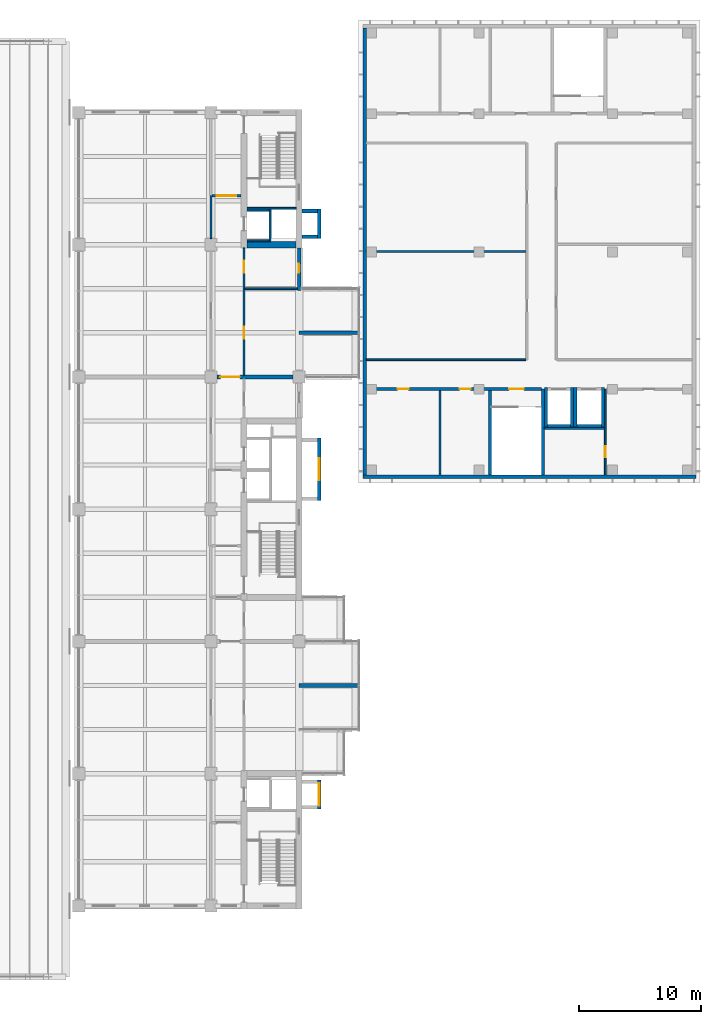
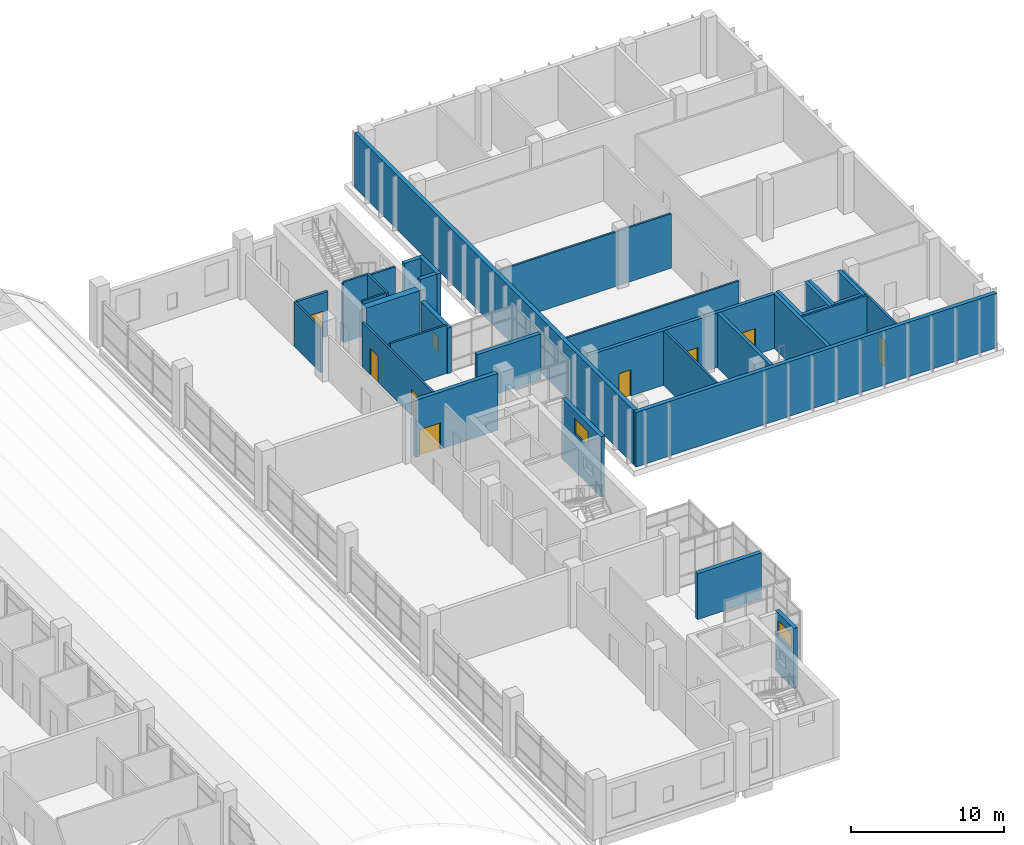
# One storey, part 35 of 45: 34 walls, 8 doors, 3 windows, 11 openings.
"""IFC4 building model written with IfcOpenShell, lengths in metres."""

from ifc_helpers import new_model, si_unit, direction, frame, frame_2d, origin, place, context, subcontext, project, spatial, rectangle, extrude, material, layer, layer_set, type_object, element, fill, save


model = new_model("IFC4")

# Units and contexts
model_context = context("Model", 3, precision=1e-05, world=origin(), true_north=direction((0.0, 1.0)))
body_context = subcontext(model_context, "Body", "Model", "MODEL_VIEW")
ifc_project = project(units=[si_unit("LENGTHUNIT", "METRE"), si_unit("AREAUNIT", "SQUARE_METRE"), si_unit("VOLUMEUNIT", "CUBIC_METRE"), si_unit("PLANEANGLEUNIT", "RADIAN"), si_unit("MASSUNIT", "GRAM", prefix="KILO")], contexts=[model_context])

# Site, building, storey
site_placement = place(None, origin())
site = spatial("IfcSite", under=ifc_project, at=site_placement, CompositionType="ELEMENT")
building_placement = place(site_placement, origin())
building = spatial("IfcBuilding", under=site, at=building_placement, Name="Basin Gate Institute", CompositionType="ELEMENT")
storey_placement = place(building_placement, frame((0.0, 0.0, 22.199951171875)))
storey = spatial("IfcBuildingStorey", under=building, at=storey_placement, Name="L04", CompositionType="ELEMENT", Elevation=22.199951171875)

# Wall, openings, doors
ifc_material_1 = material(Name="Concrete 40 MPa", Category="concrete")
ifc_layer_1 = layer(ifc_material_1, 0.25)
ifc_layer_set_1 = layer_set([ifc_layer_1], Name="Concrete 40 MPa")
wall_type_1 = type_object("IfcWallType", Name="Block enclosure wall W73 REI 120", PredefinedType="SOLIDWALL", material=ifc_layer_set_1)
wall_1_placement = place(storey_placement, frame((124.300048828125, 77.300048828125, 0.0), z_axis=(0.0, 0.0, 1.0), x_axis=(1.0, 0.0, 0.0)))
wall_1 = element("IfcWall", 1, at=wall_1_placement, inside=storey, type_object=wall_type_1, material=ifc_layer_set_1, Name="Stair and lift enclosure wall Cx7730-1 L04", PredefinedType="SOLIDWALL", context=body_context, shape_type="SweptSolid", body=[
    extrude(rectangle(XDim=14.27490234375, YDim=0.25, at=frame_2d((7.137451171875, 0.0))), origin(), (0.0, 0.0, 1.0), 4.35009765625),
])
opening_1_placement = place(wall_1_placement, frame((2.550048828125, 0.0, 0.0)))
opening_1 = element("IfcOpeningElement", 2, at=opening_1_placement, cuts=wall_1, Name="Opening D1074", PredefinedType="OPENING", context=body_context, shape_type="SweptSolid", body=[
    extrude(rectangle(XDim=0.89990234375, YDim=2.10009765625, at=frame_2d((0.449951171875, 1.050048828125))), frame((0.0, 0.135009765625, 0.0), z_axis=(0.0, -1.0, 0.0), x_axis=(1.0, 0.0, 0.0)), (0.0, 0.0, 1.0), 0.27001953125),
])
opening_2_placement = place(wall_1_placement, frame((7.60009765625, 0.0, 0.0)))
opening_2 = element("IfcOpeningElement", 3, at=opening_2_placement, cuts=wall_1, Name="Opening D1075", PredefinedType="OPENING", context=body_context, shape_type="SweptSolid", body=[
    extrude(rectangle(XDim=0.89990234375, YDim=2.10009765625, at=frame_2d((0.449951171875, 1.050048828125))), frame((0.0, 0.135009765625, 0.0), z_axis=(0.0, -1.0, 0.0), x_axis=(1.0, 0.0, 0.0)), (0.0, 0.0, 1.0), 0.27001953125),
])
opening_3_placement = place(wall_1_placement, frame((11.64990234375, 0.0, 0.0)))
opening_3 = element("IfcOpeningElement", 4, at=opening_3_placement, cuts=wall_1, Name="Opening D1086", PredefinedType="OPENING", context=body_context, shape_type="SweptSolid", body=[
    extrude(rectangle(XDim=1.199951171875, YDim=2.10009765625, at=frame_2d((0.60009765625, 1.050048828125))), frame((0.0, 0.135009765625, 0.0), z_axis=(0.0, -1.0, 0.0), x_axis=(1.0, 0.0, 0.0)), (0.0, 0.0, 1.0), 0.27001953125),
])
ifc_material_2 = material(Name="Timber door leaf in steel frame", Category="steel")
door_type_1 = type_object("IfcDoorType", Name="Block door 900 single swing", OperationType="NOTDEFINED", PredefinedType="DOOR", material=ifc_material_2)
door_1_placement = place(opening_1_placement, frame((0.89990234375, 0.0, 0.0), z_axis=(0.0, 0.0, 1.0), x_axis=(-1.0, 0.0, 0.0)))
door_1 = element("IfcDoor", 5, at=door_1_placement, inside=storey, type_object=door_type_1, material=ifc_material_2, Name="Air Handling Plant Room 2 door L04", OperationType="SINGLE_SWING_RIGHT", OverallHeight=2.10009765625, OverallWidth=0.89990234375, PredefinedType="DOOR", context=body_context, shape_type="SweptSolid", body=[
    extrude(rectangle(XDim=0.89990234375, YDim=2.10009765625, at=frame_2d((0.449951171875, 1.050048828125))), frame((0.0, 0.02490234375, 0.0), z_axis=(0.0, -1.0, 0.0), x_axis=(1.0, 0.0, 0.0)), (0.0, 0.0, 1.0), 0.050048828125),
])
fill(opening_1, door_1)
door_2_placement = place(opening_2_placement, frame((0.89990234375, 0.0, 0.0), z_axis=(0.0, 0.0, 1.0), x_axis=(-1.0, 0.0, 0.0)))
door_2 = element("IfcDoor", 6, at=door_2_placement, inside=storey, type_object=door_type_1, material=ifc_material_2, Name="Plant Room 3 door L04", OperationType="SINGLE_SWING_LEFT", OverallHeight=2.10009765625, OverallWidth=0.89990234375, PredefinedType="DOOR", context=body_context, shape_type="SweptSolid", body=[
    extrude(rectangle(XDim=0.89990234375, YDim=2.10009765625, at=frame_2d((0.449951171875, 1.050048828125))), frame((0.0, 0.02490234375, 0.0), z_axis=(0.0, -1.0, 0.0), x_axis=(1.0, 0.0, 0.0)), (0.0, 0.0, 1.0), 0.050048828125),
])
fill(opening_2, door_2)
ifc_material_3 = material(Name="Steel fire door leaf", Category="steel")
door_type_2 = type_object("IfcDoorType", Name="FD60 door 1200 single swing", OperationType="NOTDEFINED", PredefinedType="DOOR", material=ifc_material_3)
door_3_placement = place(opening_3_placement, frame((1.199951171875, 0.0, 0.0), z_axis=(0.0, 0.0, 1.0), x_axis=(-1.0, 0.0, 0.0)))
door_3 = element("IfcDoor", 7, at=door_3_placement, inside=storey, type_object=door_type_2, material=ifc_material_3, Name="Stair door ST-C4 L04", OperationType="SINGLE_SWING_RIGHT", OverallHeight=2.10009765625, OverallWidth=1.199951171875, PredefinedType="DOOR", context=body_context, shape_type="SweptSolid", body=[
    extrude(rectangle(XDim=1.199951171875, YDim=2.10009765625, at=frame_2d((0.60009765625, 1.050048828125))), frame((0.0, 0.02490234375, 0.0), z_axis=(0.0, -1.0, 0.0), x_axis=(1.0, 0.0, 0.0)), (0.0, 0.0, 1.0), 0.050048828125),
])
fill(opening_3, door_3)

# Walls
wall_2_placement = place(storey_placement, frame((134.39990234375, 70.300048828125, 0.0), z_axis=(0.0, 0.0, 1.0), x_axis=(0.0, 1.0, 0.0)))
element("IfcWall", 8, at=wall_2_placement, inside=storey, type_object=wall_type_1, material=ifc_layer_set_1, Name="Stair and lift enclosure wall Cy13440-12 L04", PredefinedType="SOLIDWALL", context=body_context, shape_type="SweptSolid", body=[
    extrude(rectangle(XDim=6.875, YDim=0.25, at=frame_2d((3.4375, 0.0))), origin(), (0.0, 0.0, 1.0), 4.35009765625),
])
wall_3_placement = place(storey_placement, frame((138.699951171875, 70.300048828125, 0.0), z_axis=(0.0, 0.0, 1.0), x_axis=(0.0, 1.0, 0.0)))
element("IfcWall", 9, at=wall_3_placement, inside=storey, type_object=wall_type_1, material=ifc_layer_set_1, Name="Stair and lift enclosure wall Cy13870-15 L04", PredefinedType="SOLIDWALL", context=body_context, shape_type="SweptSolid", body=[
    extrude(rectangle(XDim=7.0, YDim=0.25, at=frame_2d((3.5, 0.0))), origin(), (0.0, 0.0, 1.0), 4.35009765625),
])
ifc_material_4 = material(Name="Aluminium-faced insulated panel wall", Category="aluminium")
ifc_layer_2 = layer(ifc_material_4, 0.300048828125)
ifc_layer_set_2 = layer_set([ifc_layer_2], Name="Capsule side wall EW2 EI 120")
wall_type_2 = type_object("IfcWallType", Name="Capsule side wall EW2 EI 120", PredefinedType="STANDARD", material=ifc_layer_set_2)
for number, where, z_axis, x_axis, name in (
    (10, (123.60009765625, 53.10009765625, 0.0), (0.0, 0.0, 1.0), (-1.0, 0.0, 0.0), "Capsule side wall E wing L04 line 6"),
    (11, (123.60009765625, 81.89990234375, 0.0), (0.0, 0.0, 1.0), (-1.0, 0.0, 0.0), "Capsule side wall E wing L04 line 14"),
):
    element("IfcWall", number, at=place(storey_placement, frame(where, z_axis=z_axis, x_axis=x_axis)), inside=storey, type_object=wall_type_2, material=ifc_layer_set_2, Name=name, PredefinedType="STANDARD", context=body_context, shape_type="SweptSolid", body=[
        extrude(rectangle(XDim=4.800048828125, YDim=0.300048828125, at=frame_2d((2.39990234375, 0.0))), origin(), (0.0, 0.0, 1.0), 3.650146484375),
    ])
ifc_material_5 = material(Name="Insulated sandwich panel, mineral wool core, galvanised sheet faces")
ifc_layer_3 = layer(ifc_material_5, 0.300048828125)
ifc_layer_set_3 = layer_set([ifc_layer_3], Name="Clean block insulated panel wall W80 EI 60")
wall_type_3 = type_object("IfcWallType", Name="Clean block insulated panel wall W80 EI 60", PredefinedType="SOLIDWALL", material=ifc_layer_set_3)
wall_4_placement = place(storey_placement, frame((124.0, 70.14990234375, 0.0), z_axis=(0.0, 0.0, 1.0), x_axis=(1.0, 0.0, 0.0)))
element("IfcWall", 12, at=wall_4_placement, inside=storey, type_object=wall_type_3, material=ifc_layer_set_3, Name="Clean block insulated panel wall south L04", PredefinedType="SOLIDWALL", context=body_context, shape_type="SweptSolid", body=[
    extrude(rectangle(XDim=27.199951171875, YDim=0.300048828125, at=frame_2d((13.60009765625, 0.0))), origin(), (0.0, 0.0, 1.0), 4.35009765625),
])
wall_5_placement = place(storey_placement, frame((124.14990234375, 70.300048828125, 0.0), z_axis=(0.0, 0.0, 1.0), x_axis=(0.0, 1.0, 0.0)))
element("IfcWall", 13, at=wall_5_placement, inside=storey, type_object=wall_type_3, material=ifc_layer_set_3, Name="Clean block insulated panel wall west L04", PredefinedType="SOLIDWALL", context=body_context, shape_type="SweptSolid", body=[
    extrude(rectangle(XDim=36.5, YDim=0.300048828125, at=frame_2d((18.25, 0.0))), origin(), (0.0, 0.0, 1.0), 4.35009765625),
])
ifc_material_6 = material(Name="Gypsum board partition on steel studs, 60 minute", Category="steel")
ifc_layer_4 = layer(ifc_material_6, 0.14990234375)
ifc_layer_set_4 = layer_set([ifc_layer_4], Name="Gypsum board partition on steel studs, 60 minute")
wall_type_4 = type_object("IfcWallType", Name="Clean block partition PW72 EI 60", PredefinedType="SOLIDWALL", material=ifc_layer_set_4)
wall_6_placement = place(storey_placement, frame((138.824951171875, 74.10009765625, 0.0), z_axis=(0.0, 0.0, 1.0), x_axis=(1.0, 0.0, 0.0)))
element("IfcWall", 14, at=wall_6_placement, inside=storey, type_object=wall_type_4, material=ifc_layer_set_4, Name="Clean block partition Cx7410-0 L04", PredefinedType="SOLIDWALL", context=body_context, shape_type="SweptSolid", body=[
    extrude(rectangle(XDim=4.900146484375, YDim=0.14990234375, at=frame_2d((2.4501953125, 0.0))), origin(), (0.0, 0.0, 1.0), 4.35009765625),
])
for number, where, z_axis, x_axis, name in (
    (15, (124.300048828125, 79.699951171875, 0.0), (0.0, 0.0, 1.0), (1.0, 0.0, 0.0), "Clean block partition Cx7970-3 L04"),
    (16, (124.300048828125, 88.550048828125, 0.0), (0.0, 0.0, 1.0), (1.0, 0.0, 0.0), "Clean block partition Cx8855-5 L04"),
):
    element("IfcWall", number, at=place(storey_placement, frame(where, z_axis=z_axis, x_axis=x_axis)), inside=storey, type_object=wall_type_4, material=ifc_layer_set_4, Name=name, PredefinedType="SOLIDWALL", context=body_context, shape_type="SweptSolid", body=[
        extrude(rectangle(XDim=13.02490234375, YDim=0.14990234375, at=frame_2d((6.512451171875, 0.0))), origin(), (0.0, 0.0, 1.0), 4.35009765625),
    ])
wall_7_placement = place(storey_placement, frame((130.300048828125, 70.300048828125, 0.0), z_axis=(0.0, 0.0, 1.0), x_axis=(0.0, 1.0, 0.0)))
element("IfcWall", 17, at=wall_7_placement, inside=storey, type_object=wall_type_4, material=ifc_layer_set_4, Name="Clean block partition Cy13030-10 L04", PredefinedType="SOLIDWALL", context=body_context, shape_type="SweptSolid", body=[
    extrude(rectangle(XDim=6.875, YDim=0.14990234375, at=frame_2d((3.4375, 0.0))), origin(), (0.0, 0.0, 1.0), 4.35009765625),
])

# Wall, opening, door
wall_8_placement = place(storey_placement, frame((143.800048828125, 70.300048828125, 0.0), z_axis=(0.0, 0.0, 1.0), x_axis=(0.0, 1.0, 0.0)))
wall_8 = element("IfcWall", 18, at=wall_8_placement, inside=storey, type_object=wall_type_4, material=ifc_layer_set_4, Name="Clean block partition Cy14380-18 L04", PredefinedType="SOLIDWALL", context=body_context, shape_type="SweptSolid", body=[
    extrude(rectangle(XDim=7.0, YDim=0.14990234375, at=frame_2d((3.5, 0.0))), origin(), (0.0, 0.0, 1.0), 4.35009765625),
])
opening_4_placement = place(wall_8_placement, frame((1.449951171875, 0.0, 0.0)))
opening_4 = element("IfcOpeningElement", 19, at=opening_4_placement, cuts=wall_8, Name="Opening D1084", PredefinedType="OPENING", context=body_context, shape_type="SweptSolid", body=[
    extrude(rectangle(XDim=0.89990234375, YDim=2.10009765625, at=frame_2d((0.449951171875, 1.050048828125))), frame((0.0, 0.0849609375, 0.0), z_axis=(0.0, -1.0, 0.0), x_axis=(1.0, 0.0, 0.0)), (0.0, 0.0, 1.0), 0.169921875),
])
door_4_placement = place(opening_4_placement, frame((0.89990234375, 0.0, 0.0), z_axis=(0.0, 0.0, 1.0), x_axis=(-1.0, 0.0, 0.0)))
door_4 = element("IfcDoor", 20, at=door_4_placement, inside=storey, type_object=door_type_1, material=ifc_material_2, Name="Riser Room door L04", OperationType="SINGLE_SWING_RIGHT", OverallHeight=2.10009765625, OverallWidth=0.89990234375, PredefinedType="DOOR", context=body_context, shape_type="SweptSolid", body=[
    extrude(rectangle(XDim=0.89990234375, YDim=2.10009765625, at=frame_2d((0.449951171875, 1.050048828125))), frame((0.0, 0.02490234375, 0.0), z_axis=(0.0, -1.0, 0.0), x_axis=(1.0, 0.0, 0.0)), (0.0, 0.0, 1.0), 0.050048828125),
])
fill(opening_4, door_4)

ifc_material_7 = material(Name="Fire-rated masonry", Category="masonry")
ifc_layer_5 = layer(ifc_material_7, 0.199951171875)
ifc_layer_set_5 = layer_set([ifc_layer_5], Name="Enclosure wall PW2 200 EI 60")
wall_type_5 = type_object("IfcWallType", Name="Enclosure wall PW2 200 EI 60", PredefinedType="PARTITIONING", material=ifc_layer_set_5)
wall_9_placement = place(storey_placement, frame((114.050048828125, 93.10009765625, 0.0), z_axis=(0.0, 0.0, 1.0), x_axis=(-1.0, 0.0, 0.0)))
wall_9 = element("IfcWall", 21, at=wall_9_placement, inside=storey, type_object=wall_type_5, material=ifc_layer_set_5, Name="Smoke lobby enclosure wall PW2 L04", PredefinedType="PARTITIONING", context=body_context, shape_type="SweptSolid", body=[
    extrude(rectangle(XDim=2.35009765625, YDim=0.199951171875, at=frame_2d((1.175048828125, 0.0))), origin(), (0.0, 0.0, 1.0), 3.550048828125),
])
opening_5_placement = place(wall_9_placement, frame((0.375, 0.0, 0.0)))
opening_5 = element("IfcOpeningElement", 22, at=opening_5_placement, cuts=wall_9, Name="Opening DR209", PredefinedType="OPENING", context=body_context, shape_type="SweptSolid", body=[
    extrude(rectangle(XDim=1.60009765625, YDim=2.10009765625, at=frame_2d((0.800048828125, 1.050048828125))), frame((0.0, 0.10986328125, 0.0), z_axis=(0.0, -1.0, 0.0), x_axis=(1.0, 0.0, 0.0)), (0.0, 0.0, 1.0), 0.219970703125),
])
ifc_material_8 = material(Name="Steel fire door", Category="steel")
door_type_3 = type_object("IfcDoorType", Name="FD60 Smoke lobby door pair D8", OperationType="DOUBLE_DOOR_SINGLE_SWING", PredefinedType="DOOR", material=ifc_material_8)
door_5_placement = place(opening_5_placement, frame((1.60009765625, 0.0, 0.0), z_axis=(0.0, 0.0, 1.0), x_axis=(-1.0, 0.0, 0.0)))
door_5 = element("IfcDoor", 23, at=door_5_placement, inside=storey, type_object=door_type_3, material=ifc_material_8, Name="Smoke lobby door SS6 L04", OperationType="DOUBLE_DOOR_SINGLE_SWING", OverallHeight=2.10009765625, OverallWidth=1.60009765625, PredefinedType="DOOR", context=body_context, shape_type="SweptSolid", body=[
    extrude(rectangle(XDim=1.60009765625, YDim=2.10009765625, at=frame_2d((0.800048828125, 1.050048828125))), frame((0.0, 0.02490234375, 0.0), z_axis=(0.0, -1.0, 0.0), x_axis=(1.0, 0.0, 0.0)), (0.0, 0.0, 1.0), 0.050048828125),
])
fill(opening_5, door_5)

# Wall, opening, window
ifc_material_9 = material(Name="Aluminium-faced insulated panel wall", Category="aluminium")
ifc_layer_6 = layer(ifc_material_9, 0.300048828125)
ifc_layer_set_6 = layer_set([ifc_layer_6], Name="External wall EW1 EI 120")
wall_type_6 = type_object("IfcWallType", Name="External wall EW1 EI 120", PredefinedType="STANDARD", material=ifc_layer_set_6)
wall_10_placement = place(storey_placement, frame((118.800048828125, 85.35009765625, 0.0), z_axis=(0.0, 0.0, 1.0), x_axis=(0.0, 1.0, 0.0)))
wall_10 = element("IfcWall", 24, at=wall_10_placement, inside=storey, type_object=wall_type_6, material=ifc_layer_set_6, Name="External wall E facade L04 2", PredefinedType="STANDARD", context=body_context, shape_type="SweptSolid", body=[
    extrude(rectangle(XDim=3.5, YDim=0.300048828125, at=frame_2d((1.75, 0.0))), origin(), (0.0, 0.0, 1.0), 3.650146484375),
])
opening_6_placement = place(wall_10_placement, frame((1.449951171875, 0.0, 0.800048828125)))
opening_6 = element("IfcOpeningElement", 25, at=opening_6_placement, cuts=wall_10, Name="Opening WN3", PredefinedType="OPENING", context=body_context, shape_type="SweptSolid", body=[
    extrude(rectangle(XDim=0.75, YDim=1.199951171875, at=frame_2d((0.375, 0.60009765625))), frame((0.0, 0.16015625, 0.0), z_axis=(0.0, -1.0, 0.0), x_axis=(1.0, 0.0, 0.0)), (0.0, 0.0, 1.0), 0.320068359375),
])
ifc_material_10 = material(Name="Aluminium-framed double glazing", Category="aluminium")
window_type_1 = type_object("IfcWindowType", Name="Emergency entry panel WN3", PartitioningType="SINGLE_PANEL", PredefinedType="WINDOW", material=ifc_material_10)
window_1_placement = place(opening_6_placement, origin())
window_1 = element("IfcWindow", 26, at=window_1_placement, inside=storey, type_object=window_type_1, material=ifc_material_10, Name="Emergency entry panel E facade L04 bay 15", OverallHeight=1.199951171875, OverallWidth=0.75, PartitioningType="SINGLE_PANEL", PredefinedType="WINDOW", context=body_context, shape_type="SweptSolid", body=[
    extrude(rectangle(XDim=0.75, YDim=1.199951171875, at=frame_2d((0.375, 0.60009765625))), frame((0.0, 0.030029296875, 0.0), z_axis=(0.0, -1.0, 0.0), x_axis=(1.0, 0.0, 0.0)), (0.0, 0.0, 1.0), 0.06005859375),
])
fill(opening_6, window_1)

# Walls
ifc_material_11 = material(Name="Concrete 40 MPa", Category="concrete")
ifc_layer_7 = layer(ifc_material_11, 0.25)
ifc_layer_set_7 = layer_set([ifc_layer_7], Name="Concrete 40 MPa")
wall_type_7 = type_object("IfcWallType", Name="Lift shaft enclosure wall W76 EI 120", PredefinedType="SOLIDWALL", material=ifc_layer_set_7)
wall_11_placement = place(storey_placement, frame((139.074951171875, 74.300048828125, 0.0), z_axis=(0.0, 0.0, 1.0), x_axis=(1.0, 0.0, 0.0)))
element("IfcWall", 27, at=wall_11_placement, inside=storey, type_object=wall_type_7, material=ifc_layer_set_7, Name="Lift shaft enclosure LP8 S L04", PredefinedType="SOLIDWALL", context=body_context, shape_type="SweptSolid", body=[
    extrude(rectangle(XDim=1.900146484375, YDim=0.25, at=frame_2d((0.9501953125, 0.0))), origin(), (0.0, 0.0, 1.0), 4.35009765625),
])
for number, where, z_axis, x_axis, name in (
    (28, (138.949951171875, 74.175048828125, 0.0), (0.0, 0.0, 1.0), (0.0, 1.0, 0.0), "Lift shaft enclosure LP8 W L04"),
    (29, (141.10009765625, 74.175048828125, 0.0), (0.0, 0.0, 1.0), (0.0, 1.0, 0.0), "Lift shaft enclosure LP8 E L04"),
):
    element("IfcWall", number, at=place(storey_placement, frame(where, z_axis=z_axis, x_axis=x_axis)), inside=storey, type_object=wall_type_7, material=ifc_layer_set_7, Name=name, PredefinedType="SOLIDWALL", context=body_context, shape_type="SweptSolid", body=[
        extrude(rectangle(XDim=3.25, YDim=0.25, at=frame_2d((1.625, 0.0))), origin(), (0.0, 0.0, 1.0), 4.35009765625),
    ])
wall_12_placement = place(storey_placement, frame((141.47509765625, 74.300048828125, 0.0), z_axis=(0.0, 0.0, 1.0), x_axis=(1.0, 0.0, 0.0)))
element("IfcWall", 30, at=wall_12_placement, inside=storey, type_object=wall_type_7, material=ifc_layer_set_7, Name="Lift shaft enclosure LG1 S L04", PredefinedType="SOLIDWALL", context=body_context, shape_type="SweptSolid", body=[
    extrude(rectangle(XDim=2.0, YDim=0.25, at=frame_2d((1.0, 0.0))), origin(), (0.0, 0.0, 1.0), 4.35009765625),
])
for number, where, z_axis, x_axis, name in (
    (31, (141.35009765625, 74.175048828125, 0.0), (0.0, 0.0, 1.0), (0.0, 1.0, 0.0), "Lift shaft enclosure LG1 W L04"),
    (32, (143.60009765625, 74.175048828125, 0.0), (0.0, 0.0, 1.0), (0.0, 1.0, 0.0), "Lift shaft enclosure LG1 E L04"),
):
    element("IfcWall", number, at=place(storey_placement, frame(where, z_axis=z_axis, x_axis=x_axis)), inside=storey, type_object=wall_type_7, material=ifc_layer_set_7, Name=name, PredefinedType="SOLIDWALL", context=body_context, shape_type="SweptSolid", body=[
        extrude(rectangle(XDim=3.25, YDim=0.25, at=frame_2d((1.625, 0.0))), origin(), (0.0, 0.0, 1.0), 4.35009765625),
    ])

# Wall, openings, doors
ifc_material_12 = material(Name="Gypsum board on steel stud", Category="steel")
ifc_layer_8 = layer(ifc_material_12, 0.14990234375)
ifc_layer_set_8 = layer_set([ifc_layer_8], Name="Gypsum board on steel stud")
wall_type_8 = type_object("IfcWallType", Name="Partition PW1 150 EI 60", PredefinedType="PARTITIONING", material=ifc_layer_set_8)
wall_13_placement = place(storey_placement, frame((114.300048828125, 78.449951171875, 0.0), z_axis=(0.0, 0.0, 1.0), x_axis=(0.0, 1.0, 0.0)))
wall_13 = element("IfcWall", 33, at=wall_13_placement, inside=storey, type_object=wall_type_8, material=ifc_layer_set_8, Name="Corridor wall PW1 L04", PredefinedType="PARTITIONING", context=body_context, shape_type="SweptSolid", body=[
    extrude(rectangle(XDim=10.400146484375, YDim=0.14990234375, at=frame_2d((5.2001953125, 0.0))), origin(), (0.0, 0.0, 1.0), 3.550048828125),
])
opening_7_placement = place(wall_13_placement, frame((8.35009765625, 0.0, 0.0)))
opening_7 = element("IfcOpeningElement", 34, at=opening_7_placement, cuts=wall_13, Name="Opening DR199", PredefinedType="OPENING", context=body_context, shape_type="SweptSolid", body=[
    extrude(rectangle(XDim=1.0, YDim=2.10009765625, at=frame_2d((0.5, 1.050048828125))), frame((0.0, 0.0849609375, 0.0), z_axis=(0.0, -1.0, 0.0), x_axis=(1.0, 0.0, 0.0)), (0.0, 0.0, 1.0), 0.169921875),
])
opening_8_placement = place(wall_13_placement, frame((2.949951171875, 0.0, 0.0)))
opening_8 = element("IfcOpeningElement", 35, at=opening_8_placement, cuts=wall_13, Name="Opening DR204", PredefinedType="OPENING", context=body_context, shape_type="SweptSolid", body=[
    extrude(rectangle(XDim=1.0, YDim=2.10009765625, at=frame_2d((0.5, 1.050048828125))), frame((0.0, 0.0849609375, 0.0), z_axis=(0.0, -1.0, 0.0), x_axis=(1.0, 0.0, 0.0)), (0.0, 0.0, 1.0), 0.169921875),
])
ifc_material_13 = material(Name="Timber fire door", Category="wood")
door_type_4 = type_object("IfcDoorType", Name="FD30 Office door D1", OperationType="NOTDEFINED", PredefinedType="DOOR", material=ifc_material_13)
door_6_placement = place(opening_8_placement, frame((1.0, 0.0, 0.0), z_axis=(0.0, 0.0, 1.0), x_axis=(-1.0, 0.0, 0.0)))
door_6 = element("IfcDoor", 36, at=door_6_placement, inside=storey, type_object=door_type_4, material=ifc_material_13, Name="Door to Write-up Office 0454 L04", OperationType="SINGLE_SWING_RIGHT", OverallHeight=2.10009765625, OverallWidth=1.0, PredefinedType="DOOR", context=body_context, shape_type="SweptSolid", body=[
    extrude(rectangle(XDim=1.0, YDim=2.10009765625, at=frame_2d((0.5, 1.050048828125))), frame((0.0, 0.02490234375, 0.0), z_axis=(0.0, -1.0, 0.0), x_axis=(1.0, 0.0, 0.0)), (0.0, 0.0, 1.0), 0.050048828125),
])
fill(opening_8, door_6)
ifc_material_14 = material(Name="Timber fire door", Category="wood")
door_type_5 = type_object("IfcDoorType", Name="FD30 Toilet door D3", OperationType="NOTDEFINED", PredefinedType="DOOR", material=ifc_material_14)
door_7_placement = place(opening_7_placement, frame((1.0, 0.0, 0.0), z_axis=(0.0, 0.0, 1.0), x_axis=(-1.0, 0.0, 0.0)))
door_7 = element("IfcDoor", 37, at=door_7_placement, inside=storey, type_object=door_type_5, material=ifc_material_14, Name="Door to Female WC L04", OperationType="SINGLE_SWING_LEFT", OverallHeight=2.10009765625, OverallWidth=1.0, PredefinedType="DOOR", context=body_context, shape_type="SweptSolid", body=[
    extrude(rectangle(XDim=1.0, YDim=2.10009765625, at=frame_2d((0.5, 1.050048828125))), frame((0.0, 0.02490234375, 0.0), z_axis=(0.0, -1.0, 0.0), x_axis=(1.0, 0.0, 0.0)), (0.0, 0.0, 1.0), 0.050048828125),
])
fill(opening_7, door_7)

# Walls
wall_14_placement = place(storey_placement, frame((111.60009765625, 89.60009765625, 0.0), z_axis=(0.0, 0.0, 1.0), x_axis=(0.0, 1.0, 0.0)))
element("IfcWall", 38, at=wall_14_placement, inside=storey, type_object=wall_type_8, material=ifc_layer_set_8, Name="Laboratory corridor wall PW1 L04", PredefinedType="PARTITIONING", context=body_context, shape_type="SweptSolid", body=[
    extrude(rectangle(XDim=3.5, YDim=0.14990234375, at=frame_2d((1.75, 0.0))), origin(), (0.0, 0.0, 1.0), 3.550048828125),
])
ifc_material_15 = material(Name="Gypsum board on steel stud", Category="steel")
ifc_layer_9 = layer(ifc_material_15, 0.14990234375)
ifc_layer_set_9 = layer_set([ifc_layer_9], Name="Gypsum board on steel stud")
wall_type_9 = type_object("IfcWallType", Name="Partition PW4 150", PredefinedType="PARTITIONING", material=ifc_layer_set_9)
wall_15_placement = place(storey_placement, frame((118.64990234375, 85.5, 0.0), z_axis=(0.0, 0.0, 1.0), x_axis=(-1.0, 0.0, 0.0)))
element("IfcWall", 39, at=wall_15_placement, inside=storey, type_object=wall_type_9, material=ifc_layer_set_9, Name="Toilet partition PW4 L04", PredefinedType="PARTITIONING", context=body_context, shape_type="SweptSolid", body=[
    extrude(rectangle(XDim=4.27490234375, YDim=0.14990234375, at=frame_2d((2.137451171875, 0.0))), origin(), (0.0, 0.0, 1.0), 3.85009765625),
])
ifc_material_16 = material(Name="Concrete 40 MPa", Category="concrete")
ifc_layer_10 = layer(ifc_material_16, 0.14990234375)
ifc_layer_set_10 = layer_set([ifc_layer_10], Name="Concrete 40 MPa")
wall_type_10 = type_object("IfcWallType", Name="Wall LS1 lift shaft enclosure R120", PredefinedType="SOLIDWALL", material=ifc_layer_set_10)
wall_16_placement = place(storey_placement, frame((116.425048828125, 92.0, 0.0), z_axis=(0.0, 0.0, 1.0), x_axis=(0.0, -1.0, 0.0)))
element("IfcWall", 40, at=wall_16_placement, inside=storey, type_object=wall_type_10, material=ifc_layer_set_10, Name="Lift shaft enclosure LP6 L04 UL", PredefinedType="SOLIDWALL", context=body_context, shape_type="SweptSolid", body=[
    extrude(rectangle(XDim=2.64990234375, YDim=0.14990234375, at=frame_2d((1.324951171875, 0.0))), origin(), (0.0, 0.0, 1.0), 4.800048828125),
])
for number, where, z_axis, x_axis, name in (
    (41, (116.35009765625, 91.925048828125, 0.0), (0.0, 0.0, 1.0), (-1.0, 0.0, 0.0), "Lift shaft enclosure LP6 L04 RL"),
    (42, (116.35009765625, 89.425048828125, 0.0), (0.0, 0.0, 1.0), (-1.0, 0.0, 0.0), "Lift shaft enclosure LP6 L04 RH"),
):
    element("IfcWall", number, at=place(storey_placement, frame(where, z_axis=z_axis, x_axis=x_axis)), inside=storey, type_object=wall_type_10, material=ifc_layer_set_10, Name=name, PredefinedType="SOLIDWALL", context=body_context, shape_type="SweptSolid", body=[
        extrude(rectangle(XDim=1.800048828125, YDim=0.14990234375, at=frame_2d((0.89990234375, 0.0))), origin(), (0.0, 0.0, 1.0), 4.800048828125),
    ])
ifc_material_17 = material(Name="Concrete 40 MPa", Category="concrete")
ifc_layer_11 = layer(ifc_material_17, 0.14990234375)
ifc_layer_set_11 = layer_set([ifc_layer_11], Name="Concrete 40 MPa")
wall_type_11 = type_object("IfcWallType", Name="Wall SE1 stair enclosure R120", PredefinedType="SOLIDWALL", material=ifc_layer_set_11)
wall_17_placement = place(storey_placement, frame((118.550048828125, 92.074951171875, 0.0), z_axis=(0.0, 0.0, 1.0), x_axis=(-1.0, 0.0, 0.0)))
element("IfcWall", 43, at=wall_17_placement, inside=storey, type_object=wall_type_11, material=ifc_layer_set_11, Name="Stair enclosure wall ST-EN L04", PredefinedType="SOLIDWALL", context=body_context, shape_type="SweptSolid", body=[
    extrude(rectangle(XDim=4.0, YDim=0.14990234375, at=frame_2d((2.0, 0.0))), origin(), (0.0, 0.0, 1.0), 4.550048828125),
])

# Wall, opening, window
ifc_material_18 = material(Name="Concrete 50 MPa", Category="concrete")
ifc_layer_12 = layer(ifc_material_18, 0.300048828125)
ifc_layer_set_12 = layer_set([ifc_layer_12], Name="Concrete 50 MPa")
wall_type_12 = type_object("IfcWallType", Name="Wall SK1 R120", PredefinedType="SHEAR", material=ifc_layer_set_12)
wall_18_placement = place(storey_placement, frame((120.449951171875, 43.0, 0.0), z_axis=(0.0, 0.0, 1.0), x_axis=(0.0, 1.0, 0.0)))
wall_18 = element("IfcWall", 44, at=wall_18_placement, inside=storey, type_object=wall_type_12, material=ifc_layer_set_12, Name="Spine riser stack wall SK1 ES F L04", PredefinedType="SHEAR", context=body_context, shape_type="SweptSolid", body=[
    extrude(rectangle(XDim=2.39990234375, YDim=0.300048828125, at=frame_2d((1.199951171875, 0.0))), origin(), (0.0, 0.0, 1.0), 4.800048828125),
])
opening_9_placement = place(wall_18_placement, frame((0.300048828125, 0.0, 3.0)))
opening_9 = element("IfcOpeningElement", 45, at=opening_9_placement, cuts=wall_18, Name="Opening WL2", PredefinedType="OPENING", context=body_context, shape_type="SweptSolid", body=[
    extrude(rectangle(XDim=1.800048828125, YDim=1.199951171875, at=frame_2d((0.89990234375, 0.60009765625))), frame((0.0, 0.16015625, 0.0), z_axis=(0.0, -1.0, 0.0), x_axis=(1.0, 0.0, 0.0)), (0.0, 0.0, 1.0), 0.320068359375),
])
ifc_material_19 = material(Name="Aluminium louvre blades with fire damper", Category="aluminium")
window_type_2 = type_object("IfcWindowType", Name="Riser louvre EI 120 WL2", PartitioningType="SINGLE_PANEL", PredefinedType="WINDOW", material=ifc_material_19)
window_2_placement = place(opening_9_placement, origin())
window_2 = element("IfcWindow", 46, at=window_2_placement, inside=storey, type_object=window_type_2, material=ifc_material_19, Name="Riser louvre EI 120 ES riser 1 L04", OverallHeight=1.199951171875, OverallWidth=1.800048828125, PartitioningType="SINGLE_PANEL", PredefinedType="WINDOW", context=body_context, shape_type="SweptSolid", body=[
    extrude(rectangle(XDim=1.800048828125, YDim=1.199951171875, at=frame_2d((0.89990234375, 0.60009765625))), frame((0.0, 0.030029296875, 0.0), z_axis=(0.0, -1.0, 0.0), x_axis=(1.0, 0.0, 0.0)), (0.0, 0.0, 1.0), 0.06005859375),
])
fill(opening_9, window_2)

wall_19_placement = place(storey_placement, frame((120.449951171875, 68.199951171875, 0.0), z_axis=(0.0, 0.0, 1.0), x_axis=(0.0, 1.0, 0.0)))
wall_19 = element("IfcWall", 47, at=wall_19_placement, inside=storey, type_object=wall_type_12, material=ifc_layer_set_12, Name="Spine riser stack wall SK1 EM F L04", PredefinedType="SHEAR", context=body_context, shape_type="SweptSolid", body=[
    extrude(rectangle(XDim=5.10009765625, YDim=0.300048828125, at=frame_2d((2.550048828125, 0.0))), origin(), (0.0, 0.0, 1.0), 4.800048828125),
])
opening_10_placement = place(wall_19_placement, frame((1.64990234375, 0.0, 3.0)))
opening_10 = element("IfcOpeningElement", 48, at=opening_10_placement, cuts=wall_19, Name="Opening WL2", PredefinedType="OPENING", context=body_context, shape_type="SweptSolid", body=[
    extrude(rectangle(XDim=1.800048828125, YDim=1.199951171875, at=frame_2d((0.89990234375, 0.60009765625))), frame((0.0, 0.16015625, 0.0), z_axis=(0.0, -1.0, 0.0), x_axis=(1.0, 0.0, 0.0)), (0.0, 0.0, 1.0), 0.320068359375),
])
window_3_placement = place(opening_10_placement, origin())
window_3 = element("IfcWindow", 49, at=window_3_placement, inside=storey, type_object=window_type_2, material=ifc_material_19, Name="Riser louvre EI 120 EM riser 1 L04", OverallHeight=1.199951171875, OverallWidth=1.800048828125, PartitioningType="SINGLE_PANEL", PredefinedType="WINDOW", context=body_context, shape_type="SweptSolid", body=[
    extrude(rectangle(XDim=1.800048828125, YDim=1.199951171875, at=frame_2d((0.89990234375, 0.60009765625))), frame((0.0, 0.030029296875, 0.0), z_axis=(0.0, -1.0, 0.0), x_axis=(1.0, 0.0, 0.0)), (0.0, 0.0, 1.0), 0.06005859375),
])
fill(opening_10, window_3)

# Walls
wall_20_placement = place(storey_placement, frame((120.449951171875, 89.60009765625, 0.0), z_axis=(0.0, 0.0, 1.0), x_axis=(0.0, 1.0, 0.0)))
element("IfcWall", 50, at=wall_20_placement, inside=storey, type_object=wall_type_12, material=ifc_layer_set_12, Name="Spine riser stack wall SK1 EN F L04", PredefinedType="SHEAR", context=body_context, shape_type="SweptSolid", body=[
    extrude(rectangle(XDim=2.39990234375, YDim=0.300048828125, at=frame_2d((1.199951171875, 0.0))), origin(), (0.0, 0.0, 1.0), 4.800048828125),
])
for number, where, z_axis, x_axis, name in (
    (51, (119.050048828125, 89.75, 0.0), (0.0, 0.0, 1.0), (1.0, 0.0, 0.0), "Spine riser stack wall SK1 EN A L04"),
    (52, (119.050048828125, 91.85009765625, 0.0), (0.0, 0.0, 1.0), (1.0, 0.0, 0.0), "Spine riser stack wall SK1 EN B L04"),
):
    element("IfcWall", number, at=place(storey_placement, frame(where, z_axis=z_axis, x_axis=x_axis)), inside=storey, type_object=wall_type_12, material=ifc_layer_set_12, Name=name, PredefinedType="SHEAR", context=body_context, shape_type="SweptSolid", body=[
        extrude(rectangle(XDim=1.25, YDim=0.300048828125, at=frame_2d((0.625, 0.0))), origin(), (0.0, 0.0, 1.0), 4.800048828125),
    ])
ifc_material_20 = material(Name="Concrete 60 MPa", Category="concrete")
ifc_layer_13 = layer(ifc_material_20, 0.5)
ifc_layer_set_13 = layer_set([ifc_layer_13], Name="Concrete 60 MPa")
wall_type_13 = type_object("IfcWallType", Name="Wall SW1 R120", PredefinedType="SHEAR", material=ifc_layer_set_13)
wall_21_placement = place(storey_placement, frame((118.550048828125, 89.10009765625, 0.0), z_axis=(0.0, 0.0, 1.0), x_axis=(-1.0, 0.0, 0.0)))
element("IfcWall", 53, at=wall_21_placement, inside=storey, type_object=wall_type_13, material=ifc_layer_set_13, Name="WALL/L04/EN/S", PredefinedType="SHEAR", context=body_context, shape_type="SweptSolid", body=[
    extrude(rectangle(XDim=4.0, YDim=0.5, at=frame_2d((2.0, 0.0))), origin(), (0.0, 0.0, 1.0), 4.550048828125),
])

# Wall, opening, door
ifc_material_21 = material(Name="Concrete 50 MPa", Category="concrete")
ifc_layer_14 = layer(ifc_material_21, 0.300048828125)
ifc_layer_set_14 = layer_set([ifc_layer_14], Name="Concrete 50 MPa")
wall_type_14 = type_object("IfcWallType", Name="Wall XW1 R120", PredefinedType="SHEAR", material=ifc_layer_set_14)
wall_22_placement = place(storey_placement, frame((118.300048828125, 78.300048828125, 0.0), z_axis=(0.0, 0.0, 1.0), x_axis=(-1.0, 0.0, 0.0)))
wall_22 = element("IfcWall", 54, at=wall_22_placement, inside=storey, type_object=wall_type_14, material=ifc_layer_set_14, Name="WALL/L04/EXE/1", PredefinedType="SHEAR", context=body_context, shape_type="SweptSolid", body=[
    extrude(rectangle(XDim=6.199951171875, YDim=0.300048828125, at=frame_2d((3.10009765625, 0.0))), origin(), (0.0, 0.0, 1.0), 4.550048828125),
])
opening_11_placement = place(wall_22_placement, frame((4.33740234375, 0.0, 0.0)))
opening_11 = element("IfcOpeningElement", 55, at=opening_11_placement, cuts=wall_22, Name="Opening DR211", PredefinedType="OPENING", context=body_context, shape_type="SweptSolid", body=[
    extrude(rectangle(XDim=1.60009765625, YDim=2.10009765625, at=frame_2d((0.800048828125, 1.050048828125))), frame((0.0, 0.16015625, 0.0), z_axis=(0.0, -1.0, 0.0), x_axis=(1.0, 0.0, 0.0)), (0.0, 0.0, 1.0), 0.320068359375),
])
ifc_material_22 = material(Name="Steel fire door", Category="steel")
door_type_6 = type_object("IfcDoorType", Name="FD60 Compartment door pair D7", OperationType="DOUBLE_DOOR_SINGLE_SWING", PredefinedType="DOOR", material=ifc_material_22)
door_8_placement = place(opening_11_placement, origin())
door_8 = element("IfcDoor", 56, at=door_8_placement, inside=storey, type_object=door_type_6, material=ifc_material_22, Name="Compartment door pair L04 E2 L04", OperationType="DOUBLE_DOOR_SINGLE_SWING", OverallHeight=2.10009765625, OverallWidth=1.60009765625, PredefinedType="DOOR", context=body_context, shape_type="SweptSolid", body=[
    extrude(rectangle(XDim=1.60009765625, YDim=2.10009765625, at=frame_2d((0.800048828125, 1.050048828125))), frame((0.0, 0.02490234375, 0.0), z_axis=(0.0, -1.0, 0.0), x_axis=(1.0, 0.0, 0.0)), (0.0, 0.0, 1.0), 0.050048828125),
])
fill(opening_11, door_8)

save(model, "model.ifc")
